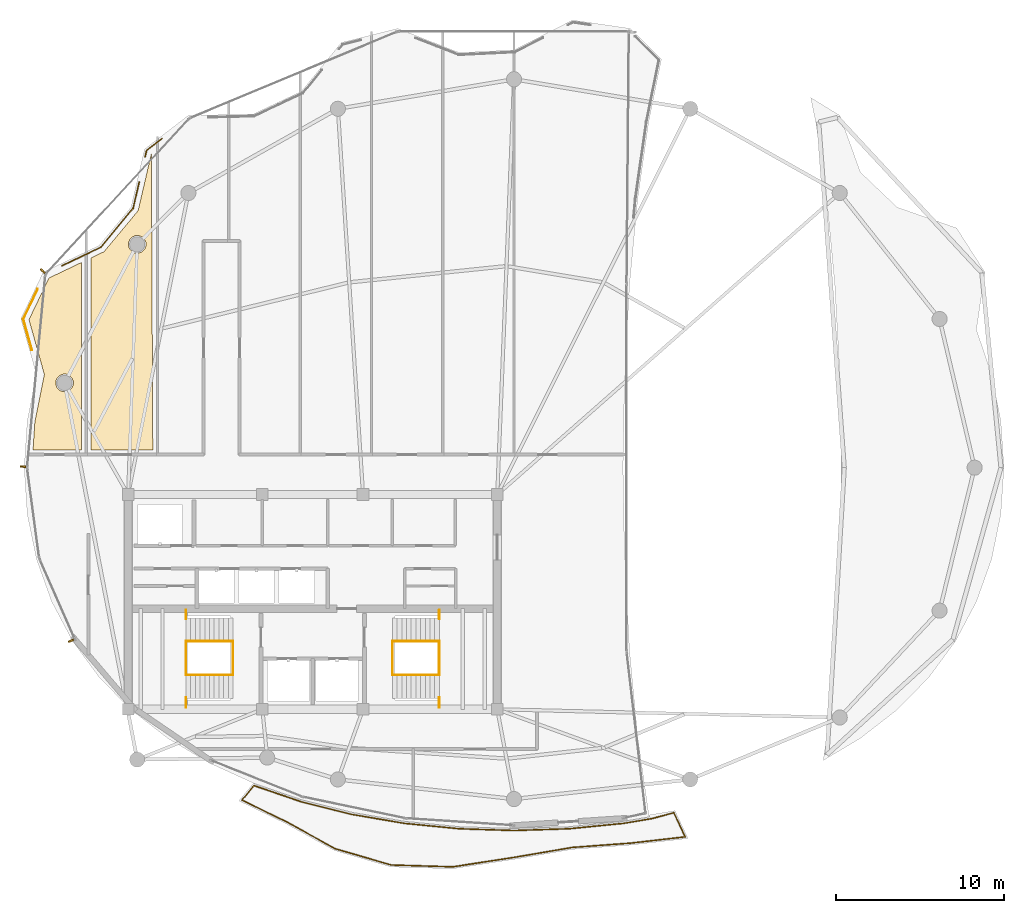
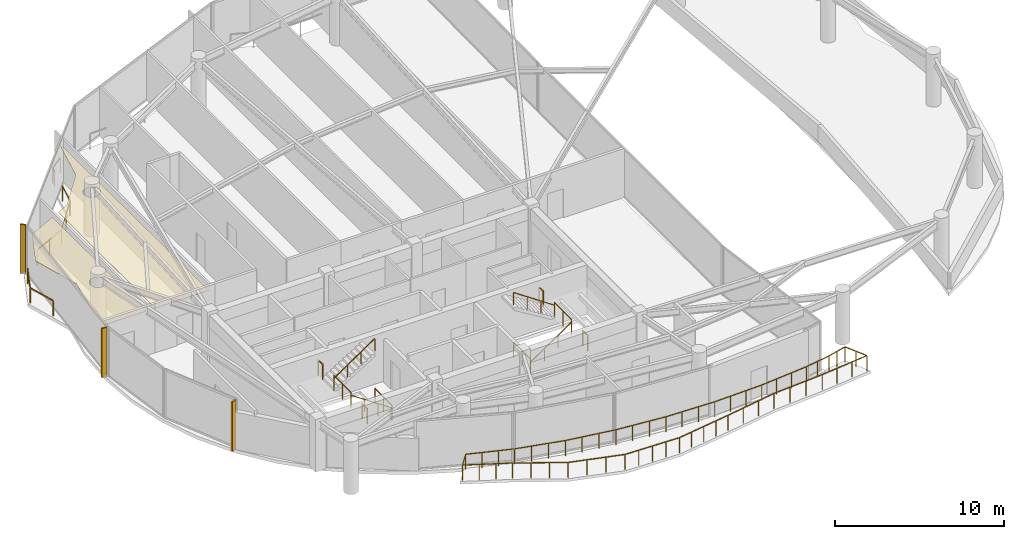
# One storey, part 22 of 23: 16 railings, 3 shading devices, 2 coverings.
"""IFC4 building model written with IfcOpenShell, lengths in metres."""

from ifc_helpers import new_model, si_unit, direction, frame, origin, origin_2d, place, context, subcontext, project, spatial, polyline, rectangle, outline, extrude, material, layer, layer_set, type_object, element, save


model = new_model("IFC4")

# Units and contexts
model_context = context("Model", 3, precision=1e-05, world=origin(), true_north=direction((0.0, 1.0)))
body_context = subcontext(model_context, "Body", "Model", "MODEL_VIEW")
ifc_project = project(units=[si_unit("LENGTHUNIT", "METRE"), si_unit("AREAUNIT", "SQUARE_METRE"), si_unit("VOLUMEUNIT", "CUBIC_METRE"), si_unit("PLANEANGLEUNIT", "RADIAN"), si_unit("MASSUNIT", "GRAM", prefix="KILO")], contexts=[model_context])

# Site, building, storey
site_placement = place(None, origin())
site = spatial("IfcSite", under=ifc_project, at=site_placement, CompositionType="ELEMENT")
building_placement = place(site_placement, origin())
building = spatial("IfcBuilding", under=site, at=building_placement, Name="Kazevale Care Tower and Concert Hall", CompositionType="ELEMENT")
storey_placement = place(building_placement, frame((0.0, 0.0, 270.0)))
storey = spatial("IfcBuildingStorey", under=building, at=storey_placement, Name="L71", CompositionType="ELEMENT", Elevation=270.0)

# Coverings
ifc_material_1 = material(Name="Acoustic Plaster and Hinoki Wood", Category="wood")
ifc_layer = layer(ifc_material_1, 0.0400390625)
ifc_layer_set = layer_set([ifc_layer], Name="Acoustic Plaster and Hinoki Wood")
covering_type = type_object("IfcCoveringType", Name="Acoustic Perforated Wood-Gypsum Ceiling", PredefinedType="CEILING", material=ifc_layer_set)
covering_1_placement = place(storey_placement, frame((0.0, 0.0, 2.909912109375)))
element("IfcCovering", 1, at=covering_1_placement, inside=storey, type_object=covering_type, Name="clg:L71:1", PredefinedType="CEILING", context=body_context, shape_type="SweptSolid", body=[
    extrude(outline(polyline([(17.0048828125, 43.55908203125), (16.087890625, 46.824951171875), (17.279052734375, 49.304931640625), (19.219970703125, 50.23291015625), (19.219970703125, 39.054931640625), (16.330078125, 39.054931640625), (16.44091796875, 40.72802734375), (17.0048828125, 43.55908203125)]), holes=[polyline([(18.72998046875, 43.153076171875), (18.65087890625, 43.343994140625), (18.50390625, 43.490966796875), (18.31298828125, 43.570068359375), (18.10693359375, 43.570068359375), (17.916015625, 43.490966796875), (17.76904296875, 43.343994140625), (17.68994140625, 43.153076171875), (17.68994140625, 42.947021484375), (17.76904296875, 42.756103515625), (17.916015625, 42.60888671875), (18.10693359375, 42.530029296875), (18.31298828125, 42.530029296875), (18.50390625, 42.60888671875), (18.65087890625, 42.756103515625), (18.72998046875, 42.947021484375), (18.72998046875, 43.153076171875)])]), origin(), (0.0, 0.0, 1.0), 0.0400390625),
])
covering_2_placement = place(storey_placement, frame((0.0, 0.0, 2.909912109375)))
element("IfcCovering", 2, at=covering_2_placement, inside=storey, type_object=covering_type, Name="clg:L71:2", PredefinedType="CEILING", context=body_context, shape_type="SweptSolid", body=[
    extrude(outline(polyline([(22.593994140625, 53.31494140625), (23.385009765625, 56.721923828125), (23.469970703125, 39.054931640625), (19.780029296875, 39.054931640625), (19.780029296875, 50.5009765625), (20.56494140625, 50.8759765625), (22.593994140625, 53.31494140625)]), holes=[polyline([(23.06005859375, 51.4130859375), (22.98095703125, 51.60400390625), (22.833984375, 51.7509765625), (22.64306640625, 51.830078125), (22.43701171875, 51.830078125), (22.24609375, 51.7509765625), (22.09912109375, 51.60400390625), (22.02001953125, 51.4130859375), (22.02001953125, 51.20703125), (22.09912109375, 51.01611328125), (22.24609375, 50.868896484375), (22.43701171875, 50.7900390625), (22.64306640625, 50.7900390625), (22.833984375, 50.868896484375), (22.98095703125, 51.01611328125), (23.06005859375, 51.20703125), (23.06005859375, 51.4130859375)])]), origin(), (0.0, 0.0, 1.0), 0.0400390625),
])

# Railings
ifc_material_2 = material(Name="Anodised Bronze Aluminium and Laminated Glass", Category="aluminium")
railing_type_1 = type_object("IfcRailingType", Name="Balcony and Terrace Balustrade 1120", PredefinedType="BALUSTRADE", material=ifc_material_2)
railing_1_placement = place(storey_placement, frame((16.262939453125, 45.01806640625, 0.0)))
element("IfcRailing", 3, at=railing_1_placement, inside=storey, type_object=railing_type_1, Name="rail:L71:perim:1", PredefinedType="BALUSTRADE", context=body_context, shape_type="SweptSolid", body=[
    extrude(rectangle(XDim=0.048095703125, YDim=0.048095703125, at=origin_2d()), frame((0.0, 0.0, 1.09619140625), z_axis=(-0.270375000103, 0.962755087922, 0.0), x_axis=(-0.962755087922, -0.270375000103, 0.0)), (0.0, 0.0, 1.0), 1.907958984375),
    extrude(rectangle(XDim=0.048095703125, YDim=0.048095703125, at=origin_2d()), frame((-0.515869140625, 1.8369140625, 1.09619140625), z_axis=(0.433171337814, 0.901311595452, 0.0), x_axis=(-0.901311595452, 0.433171337814, 0.0)), (0.0, 0.0, 1.0), 1.982666015625),
    extrude(rectangle(XDim=0.0419921875, YDim=0.0419921875, at=origin_2d()), origin(), (0.0, 0.0, 1.0), 1.072021484375),
    extrude(rectangle(XDim=0.0419921875, YDim=0.0419921875, at=origin_2d()), frame((-0.515869140625, 1.8369140625, 0.0)), (0.0, 0.0, 1.0), 1.072021484375),
    extrude(rectangle(XDim=0.0419921875, YDim=0.0419921875, at=origin_2d()), frame((0.343017578125, 3.6240234375, 0.0)), (0.0, 0.0, 1.0), 1.072021484375),
])
railing_2_placement = place(storey_placement, frame((18.06689453125, 50.035888671875, 0.0)))
element("IfcRailing", 4, at=railing_2_placement, inside=storey, type_object=railing_type_1, Name="rail:L71:perim:2", PredefinedType="BALUSTRADE", context=body_context, shape_type="SweptSolid", body=[
    extrude(rectangle(XDim=0.048095703125, YDim=0.048095703125, at=origin_2d()), frame((0.0, 0.0, 1.09619140625), z_axis=(0.902057952575, 0.431614932776, 0.0), x_axis=(-0.431614932776, 0.902057952575, 0.0)), (0.0, 0.0, 1.0), 2.546630859375),
    extrude(rectangle(XDim=0.048095703125, YDim=0.048095703125, at=origin_2d()), frame((2.297119140625, 1.09912109375, 1.09619140625), z_axis=(0.639557177374, 0.76874353127, 0.0), x_axis=(-0.76874353127, 0.639557177374, 0.0)), (0.0, 0.0, 1.0), 3.025634765625),
    extrude(rectangle(XDim=0.048095703125, YDim=0.048095703125, at=origin_2d()), frame((4.232177734375, 3.425048828125, 1.09619140625), z_axis=(0.226062506511, 0.97411279796, 0.0), x_axis=(-0.97411279796, 0.226062506511, 0.0)), (0.0, 0.0, 1.0), 1.6005859375),
    extrude(rectangle(XDim=0.0419921875, YDim=0.0419921875, at=origin_2d()), origin(), (0.0, 0.0, 1.0), 1.072021484375),
    extrude(rectangle(XDim=0.0419921875, YDim=0.0419921875, at=origin_2d()), frame((1.1484375, 0.549560546875, 0.0)), (0.0, 0.0, 1.0), 1.072021484375),
    extrude(rectangle(XDim=0.0419921875, YDim=0.0419921875, at=origin_2d()), frame((2.297119140625, 1.09912109375, 0.0)), (0.0, 0.0, 1.0), 1.072021484375),
    extrude(rectangle(XDim=0.0419921875, YDim=0.0419921875, at=origin_2d()), frame((3.2646484375, 2.26220703125, 0.0)), (0.0, 0.0, 1.0), 1.072021484375),
    extrude(rectangle(XDim=0.0419921875, YDim=0.0419921875, at=origin_2d()), frame((4.232177734375, 3.425048828125, 0.0)), (0.0, 0.0, 1.0), 1.072021484375),
    extrude(rectangle(XDim=0.0419921875, YDim=0.0419921875, at=origin_2d()), frame((4.593994140625, 4.984130859375, 0.0)), (0.0, 0.0, 1.0), 1.072021484375),
])
railing_3_placement = place(storey_placement, frame((23.009033203125, 56.51904296875, 0.0)))
element("IfcRailing", 5, at=railing_3_placement, inside=storey, type_object=railing_type_1, Name="rail:L71:perim:3", PredefinedType="BALUSTRADE", context=body_context, shape_type="SweptSolid", body=[
    extrude(rectangle(XDim=0.048095703125, YDim=0.048095703125, at=origin_2d()), frame((0.0, 0.0, 1.09619140625), z_axis=(0.227288030482, 0.973827577757, 0.0), x_axis=(-0.973827577757, 0.227288030482, 0.0)), (0.0, 0.0, 1.0), 0.396240234375),
    extrude(rectangle(XDim=0.048095703125, YDim=0.048095703125, at=origin_2d()), frame((0.090087890625, 0.385986328125, 1.09619140625), z_axis=(0.791840451441, 0.61072800776, 0.0), x_axis=(-0.61072800776, 0.791840451441, 0.0)), (0.0, 0.0, 1.0), 1.1591796875),
    extrude(rectangle(XDim=0.0419921875, YDim=0.0419921875, at=origin_2d()), origin(), (0.0, 0.0, 1.0), 1.072021484375),
    extrude(rectangle(XDim=0.0419921875, YDim=0.0419921875, at=origin_2d()), frame((0.090087890625, 0.385986328125, 0.0)), (0.0, 0.0, 1.0), 1.072021484375),
    extrude(rectangle(XDim=0.0419921875, YDim=0.0419921875, at=origin_2d()), frame((1.008056640625, 1.093994140625, 0.0)), (0.0, 0.0, 1.0), 1.072021484375),
])
railing_4_placement = place(storey_placement, frame((29.5009765625, 19.052978515625, 0.0)))
element("IfcRailing", 6, at=railing_4_placement, inside=storey, type_object=railing_type_1, Name="rail:L71:balcony", PredefinedType="BALUSTRADE", context=body_context, shape_type="SweptSolid", body=[
    extrude(rectangle(XDim=0.048095703125, YDim=0.048095703125, at=origin_2d()), frame((0.0, 0.0, 1.09619140625), z_axis=(0.94573422454, -0.324941189347, 0.0), x_axis=(0.324941189347, 0.94573422454, 0.0)), (0.0, 0.0, 1.0), 2.954345703125),
    extrude(rectangle(XDim=0.048095703125, YDim=0.048095703125, at=origin_2d()), frame((2.7939453125, -0.9599609375, 1.09619140625), z_axis=(0.970197562423, -0.242315269572, 0.0), x_axis=(0.242315269572, 0.970197562423, 0.0)), (0.0, 0.0, 1.0), 3.12841796875),
    extrude(rectangle(XDim=0.048095703125, YDim=0.048095703125, at=origin_2d()), frame((5.8291015625, -1.718017578125, 1.09619140625), z_axis=(0.985888464626, -0.167403510471, 0.0), x_axis=(0.167403510471, 0.985888464626, 0.0)), (0.0, 0.0, 1.0), 3.201171875),
    extrude(rectangle(XDim=0.048095703125, YDim=0.048095703125, at=origin_2d()), frame((8.985107421875, -2.25390625, 1.09619140625), z_axis=(0.995202326145, -0.097838285119, 0.0), x_axis=(0.097838285119, 0.995202326145, 0.0)), (0.0, 0.0, 1.0), 3.25146484375),
    extrude(rectangle(XDim=0.048095703125, YDim=0.048095703125, at=origin_2d()), frame((12.220947265625, -2.572021484375, 1.09619140625), z_axis=(0.999478023027, -0.032306059581, 0.0), x_axis=(0.032306059581, 0.999478023027, 0.0)), (0.0, 0.0, 1.0), 3.27978515625),
    extrude(rectangle(XDim=0.048095703125, YDim=0.048095703125, at=origin_2d()), frame((15.4990234375, -2.677978515625, 1.09619140625), z_axis=(0.999478023027, 0.032306059581, 0.0), x_axis=(-0.032306059581, 0.999478023027, 0.0)), (0.0, 0.0, 1.0), 3.27978515625),
    extrude(rectangle(XDim=0.048095703125, YDim=0.048095703125, at=origin_2d()), frame((18.777099609375, -2.572021484375, 1.09619140625), z_axis=(0.995202326145, 0.097838285119, 0.0), x_axis=(-0.097838285119, 0.995202326145, 0.0)), (0.0, 0.0, 1.0), 3.25146484375),
    extrude(rectangle(XDim=0.048095703125, YDim=0.048095703125, at=origin_2d()), frame((22.012939453125, -2.25390625, 1.09619140625), z_axis=(0.985939740956, 0.16710124836, 0.0), x_axis=(-0.16710124836, 0.985939740956, 0.0)), (0.0, 0.0, 1.0), 1.728515625),
    extrude(rectangle(XDim=0.048095703125, YDim=0.048095703125, at=origin_2d()), frame((23.717041015625, -1.965087890625, 1.09619140625), z_axis=(0.966966654094, 0.254902902829, 0.0), x_axis=(-0.254902902829, 0.966966654094, 0.0)), (0.0, 0.0, 1.0), 1.349609375),
    extrude(rectangle(XDim=0.048095703125, YDim=0.048095703125, at=origin_2d()), frame((25.02197265625, -1.62109375, 1.09619140625), z_axis=(0.425211025578, -0.905094240246, 0.0), x_axis=(0.905094240246, 0.425211025578, 0.0)), (0.0, 0.0, 1.0), 1.585205078125),
    extrude(rectangle(XDim=0.048095703125, YDim=0.048095703125, at=origin_2d()), frame((25.696044921875, -3.055908203125, 1.09619140625), z_axis=(-0.993500146024, -0.113830838751, 0.0), x_axis=(0.113830838751, -0.993500146024, 0.0)), (0.0, 0.0, 1.0), 3.29443359375),
    extrude(rectangle(XDim=0.048095703125, YDim=0.048095703125, at=origin_2d()), frame((22.423095703125, -3.430908203125, 1.09619140625), z_axis=(-0.997316467604, -0.073211088271, 0.0), x_axis=(0.073211088271, -0.997316467604, 0.0)), (0.0, 0.0, 1.0), 3.471435546875),
    extrude(rectangle(XDim=0.048095703125, YDim=0.048095703125, at=origin_2d()), frame((18.9609375, -3.68505859375, 1.09619140625), z_axis=(-0.985659400135, -0.168746990863, 0.0), x_axis=(0.168746990863, -0.985659400135, 0.0)), (0.0, 0.0, 1.0), 3.531494140625),
    extrude(rectangle(XDim=0.048095703125, YDim=0.048095703125, at=origin_2d()), frame((15.47998046875, -4.281005859375, 1.09619140625), z_axis=(-0.988341038965, -0.152256332208, 0.0), x_axis=(0.152256332208, -0.988341038965, 0.0)), (0.0, 0.0, 1.0), 3.684814453125),
    extrude(rectangle(XDim=0.048095703125, YDim=0.048095703125, at=origin_2d()), frame((11.838134765625, -4.842041015625, 1.09619140625), z_axis=(-0.999555090667, 0.029826510382, 0.0), x_axis=(-0.029826510382, -0.999555090667, 0.0)), (0.0, 0.0, 1.0), 3.658935546875),
    extrude(rectangle(XDim=0.048095703125, YDim=0.048095703125, at=origin_2d()), frame((8.180908203125, -4.73291015625, 1.09619140625), z_axis=(-0.960199735493, 0.279314281695, 0.0), x_axis=(-0.279314281695, -0.960199735493, 0.0)), (0.0, 0.0, 1.0), 3.486572265625),
    extrude(rectangle(XDim=0.048095703125, YDim=0.048095703125, at=origin_2d()), frame((4.8330078125, -3.759033203125, 1.09619140625), z_axis=(-0.874893771377, 0.484314865357, 0.0), x_axis=(-0.484314865357, -0.874893771377, 0.0)), (0.0, 0.0, 1.0), 3.279052734375),
    extrude(rectangle(XDim=0.048095703125, YDim=0.048095703125, at=origin_2d()), frame((1.964111328125, -2.1708984375, 1.09619140625), z_axis=(-0.899415258031, 0.437095176845, 0.0), x_axis=(-0.437095176845, -0.899415258031, 0.0)), (0.0, 0.0, 1.0), 2.98095703125),
    extrude(rectangle(XDim=0.048095703125, YDim=0.048095703125, at=origin_2d()), frame((-0.717041015625, -0.867919921875, 1.09619140625), z_axis=(0.636915071729, 0.770933973441, 0.0), x_axis=(-0.770933973441, 0.636915071729, 0.0)), (0.0, 0.0, 1.0), 1.125732421875),
    extrude(rectangle(XDim=0.0419921875, YDim=0.0419921875, at=origin_2d()), origin(), (0.0, 0.0, 1.0), 1.072021484375),
    extrude(rectangle(XDim=0.0419921875, YDim=0.0419921875, at=origin_2d()), frame((0.931396484375, -0.320068359375, 0.0)), (0.0, 0.0, 1.0), 1.072021484375),
    extrude(rectangle(XDim=0.0419921875, YDim=0.0419921875, at=origin_2d()), frame((1.862548828125, -0.639892578125, 0.0)), (0.0, 0.0, 1.0), 1.072021484375),
    extrude(rectangle(XDim=0.0419921875, YDim=0.0419921875, at=origin_2d()), frame((2.7939453125, -0.9599609375, 0.0)), (0.0, 0.0, 1.0), 1.072021484375),
    extrude(rectangle(XDim=0.0419921875, YDim=0.0419921875, at=origin_2d()), frame((3.8056640625, -1.212646484375, 0.0)), (0.0, 0.0, 1.0), 1.072021484375),
    extrude(rectangle(XDim=0.0419921875, YDim=0.0419921875, at=origin_2d()), frame((4.8173828125, -1.46533203125, 0.0)), (0.0, 0.0, 1.0), 1.072021484375),
    extrude(rectangle(XDim=0.0419921875, YDim=0.0419921875, at=origin_2d()), frame((5.8291015625, -1.718017578125, 0.0)), (0.0, 0.0, 1.0), 1.072021484375),
    extrude(rectangle(XDim=0.0419921875, YDim=0.0419921875, at=origin_2d()), frame((6.881103515625, -1.896728515625, 0.0)), (0.0, 0.0, 1.0), 1.072021484375),
    extrude(rectangle(XDim=0.0419921875, YDim=0.0419921875, at=origin_2d()), frame((7.93310546875, -2.0751953125, 0.0)), (0.0, 0.0, 1.0), 1.072021484375),
    extrude(rectangle(XDim=0.0419921875, YDim=0.0419921875, at=origin_2d()), frame((8.985107421875, -2.25390625, 0.0)), (0.0, 0.0, 1.0), 1.072021484375),
    extrude(rectangle(XDim=0.0419921875, YDim=0.0419921875, at=origin_2d()), frame((10.063720703125, -2.35986328125, 0.0)), (0.0, 0.0, 1.0), 1.072021484375),
    extrude(rectangle(XDim=0.0419921875, YDim=0.0419921875, at=origin_2d()), frame((11.142333984375, -2.466064453125, 0.0)), (0.0, 0.0, 1.0), 1.072021484375),
    extrude(rectangle(XDim=0.0419921875, YDim=0.0419921875, at=origin_2d()), frame((12.220947265625, -2.572021484375, 0.0)), (0.0, 0.0, 1.0), 1.072021484375),
    extrude(rectangle(XDim=0.0419921875, YDim=0.0419921875, at=origin_2d()), frame((13.313720703125, -2.607421875, 0.0)), (0.0, 0.0, 1.0), 1.072021484375),
    extrude(rectangle(XDim=0.0419921875, YDim=0.0419921875, at=origin_2d()), frame((14.40625, -2.642578125, 0.0)), (0.0, 0.0, 1.0), 1.072021484375),
    extrude(rectangle(XDim=0.0419921875, YDim=0.0419921875, at=origin_2d()), frame((15.4990234375, -2.677978515625, 0.0)), (0.0, 0.0, 1.0), 1.072021484375),
    extrude(rectangle(XDim=0.0419921875, YDim=0.0419921875, at=origin_2d()), frame((16.591796875, -2.642578125, 0.0)), (0.0, 0.0, 1.0), 1.072021484375),
    extrude(rectangle(XDim=0.0419921875, YDim=0.0419921875, at=origin_2d()), frame((17.684326171875, -2.607421875, 0.0)), (0.0, 0.0, 1.0), 1.072021484375),
    extrude(rectangle(XDim=0.0419921875, YDim=0.0419921875, at=origin_2d()), frame((18.777099609375, -2.572021484375, 0.0)), (0.0, 0.0, 1.0), 1.072021484375),
    extrude(rectangle(XDim=0.0419921875, YDim=0.0419921875, at=origin_2d()), frame((19.855712890625, -2.466064453125, 0.0)), (0.0, 0.0, 1.0), 1.072021484375),
    extrude(rectangle(XDim=0.0419921875, YDim=0.0419921875, at=origin_2d()), frame((20.934326171875, -2.35986328125, 0.0)), (0.0, 0.0, 1.0), 1.072021484375),
    extrude(rectangle(XDim=0.0419921875, YDim=0.0419921875, at=origin_2d()), frame((22.012939453125, -2.25390625, 0.0)), (0.0, 0.0, 1.0), 1.072021484375),
    extrude(rectangle(XDim=0.0419921875, YDim=0.0419921875, at=origin_2d()), frame((22.864990234375, -2.109375, 0.0)), (0.0, 0.0, 1.0), 1.072021484375),
    extrude(rectangle(XDim=0.0419921875, YDim=0.0419921875, at=origin_2d()), frame((23.717041015625, -1.965087890625, 0.0)), (0.0, 0.0, 1.0), 1.072021484375),
    extrude(rectangle(XDim=0.0419921875, YDim=0.0419921875, at=origin_2d()), frame((24.36962890625, -1.79296875, 0.0)), (0.0, 0.0, 1.0), 1.072021484375),
    extrude(rectangle(XDim=0.0419921875, YDim=0.0419921875, at=origin_2d()), frame((25.02197265625, -1.62109375, 0.0)), (0.0, 0.0, 1.0), 1.072021484375),
    extrude(rectangle(XDim=0.0419921875, YDim=0.0419921875, at=origin_2d()), frame((25.35888671875, -2.33837890625, 0.0)), (0.0, 0.0, 1.0), 1.072021484375),
    extrude(rectangle(XDim=0.0419921875, YDim=0.0419921875, at=origin_2d()), frame((25.696044921875, -3.055908203125, 0.0)), (0.0, 0.0, 1.0), 1.072021484375),
    extrude(rectangle(XDim=0.0419921875, YDim=0.0419921875, at=origin_2d()), frame((24.60498046875, -3.180908203125, 0.0)), (0.0, 0.0, 1.0), 1.072021484375),
    extrude(rectangle(XDim=0.0419921875, YDim=0.0419921875, at=origin_2d()), frame((23.51416015625, -3.305908203125, 0.0)), (0.0, 0.0, 1.0), 1.072021484375),
    extrude(rectangle(XDim=0.0419921875, YDim=0.0419921875, at=origin_2d()), frame((22.423095703125, -3.430908203125, 0.0)), (0.0, 0.0, 1.0), 1.072021484375),
    extrude(rectangle(XDim=0.0419921875, YDim=0.0419921875, at=origin_2d()), frame((21.26904296875, -3.515625, 0.0)), (0.0, 0.0, 1.0), 1.072021484375),
    extrude(rectangle(XDim=0.0419921875, YDim=0.0419921875, at=origin_2d()), frame((20.114990234375, -3.600341796875, 0.0)), (0.0, 0.0, 1.0), 1.072021484375),
    extrude(rectangle(XDim=0.0419921875, YDim=0.0419921875, at=origin_2d()), frame((18.9609375, -3.68505859375, 0.0)), (0.0, 0.0, 1.0), 1.072021484375),
    extrude(rectangle(XDim=0.0419921875, YDim=0.0419921875, at=origin_2d()), frame((17.800537109375, -3.8837890625, 0.0)), (0.0, 0.0, 1.0), 1.072021484375),
    extrude(rectangle(XDim=0.0419921875, YDim=0.0419921875, at=origin_2d()), frame((16.640380859375, -4.082275390625, 0.0)), (0.0, 0.0, 1.0), 1.072021484375),
    extrude(rectangle(XDim=0.0419921875, YDim=0.0419921875, at=origin_2d()), frame((15.47998046875, -4.281005859375, 0.0)), (0.0, 0.0, 1.0), 1.072021484375),
    extrude(rectangle(XDim=0.0419921875, YDim=0.0419921875, at=origin_2d()), frame((14.569580078125, -4.42138671875, 0.0)), (0.0, 0.0, 1.0), 1.072021484375),
    extrude(rectangle(XDim=0.0419921875, YDim=0.0419921875, at=origin_2d()), frame((13.6591796875, -4.5615234375, 0.0)), (0.0, 0.0, 1.0), 1.072021484375),
    extrude(rectangle(XDim=0.0419921875, YDim=0.0419921875, at=origin_2d()), frame((12.74853515625, -4.70166015625, 0.0)), (0.0, 0.0, 1.0), 1.072021484375),
    extrude(rectangle(XDim=0.0419921875, YDim=0.0419921875, at=origin_2d()), frame((11.838134765625, -4.842041015625, 0.0)), (0.0, 0.0, 1.0), 1.072021484375),
    extrude(rectangle(XDim=0.0419921875, YDim=0.0419921875, at=origin_2d()), frame((10.923828125, -4.814697265625, 0.0)), (0.0, 0.0, 1.0), 1.072021484375),
    extrude(rectangle(XDim=0.0419921875, YDim=0.0419921875, at=origin_2d()), frame((10.009521484375, -4.78759765625, 0.0)), (0.0, 0.0, 1.0), 1.072021484375),
    extrude(rectangle(XDim=0.0419921875, YDim=0.0419921875, at=origin_2d()), frame((9.09521484375, -4.76025390625, 0.0)), (0.0, 0.0, 1.0), 1.072021484375),
    extrude(rectangle(XDim=0.0419921875, YDim=0.0419921875, at=origin_2d()), frame((8.180908203125, -4.73291015625, 0.0)), (0.0, 0.0, 1.0), 1.072021484375),
    extrude(rectangle(XDim=0.0419921875, YDim=0.0419921875, at=origin_2d()), frame((7.06494140625, -4.408203125, 0.0)), (0.0, 0.0, 1.0), 1.072021484375),
    extrude(rectangle(XDim=0.0419921875, YDim=0.0419921875, at=origin_2d()), frame((5.948974609375, -4.083740234375, 0.0)), (0.0, 0.0, 1.0), 1.072021484375),
    extrude(rectangle(XDim=0.0419921875, YDim=0.0419921875, at=origin_2d()), frame((4.8330078125, -3.759033203125, 0.0)), (0.0, 0.0, 1.0), 1.072021484375),
    extrude(rectangle(XDim=0.0419921875, YDim=0.0419921875, at=origin_2d()), frame((3.876708984375, -3.229736328125, 0.0)), (0.0, 0.0, 1.0), 1.072021484375),
    extrude(rectangle(XDim=0.0419921875, YDim=0.0419921875, at=origin_2d()), frame((2.92041015625, -2.7001953125, 0.0)), (0.0, 0.0, 1.0), 1.072021484375),
    extrude(rectangle(XDim=0.0419921875, YDim=0.0419921875, at=origin_2d()), frame((1.964111328125, -2.1708984375, 0.0)), (0.0, 0.0, 1.0), 1.072021484375),
    extrude(rectangle(XDim=0.0419921875, YDim=0.0419921875, at=origin_2d()), frame((1.0703125, -1.736572265625, 0.0)), (0.0, 0.0, 1.0), 1.072021484375),
    extrude(rectangle(XDim=0.0419921875, YDim=0.0419921875, at=origin_2d()), frame((0.1767578125, -1.30224609375, 0.0)), (0.0, 0.0, 1.0), 1.072021484375),
    extrude(rectangle(XDim=0.0419921875, YDim=0.0419921875, at=origin_2d()), frame((-0.717041015625, -0.867919921875, 0.0)), (0.0, 0.0, 1.0), 1.072021484375),
])
ifc_material_3 = material(Name="Stainless Steel 316", Category="steel")
railing_type_2 = type_object("IfcRailingType", Name="Stair Pitch Handrail 920", PredefinedType="HANDRAIL", material=ifc_material_3)
railing_5_placement = place(storey_placement, frame((28.25, 25.639892578125, 0.0)))
element("IfcRailing", 7, at=railing_5_placement, inside=storey, type_object=railing_type_2, Name="stair:L71:ST1:hr1", PredefinedType="HANDRAIL", context=body_context, shape_type="SweptSolid", body=[
    extrude(rectangle(XDim=0.048095703125, YDim=0.048095703125, at=origin_2d()), frame((0.0, 0.0, 0.89599609375), z_axis=(-0.827493732819, 0.0, 0.561474952376), x_axis=(0.0, -1.0, 0.0)), (0.0, 0.0, 1.0), 3.3837890625),
    extrude(rectangle(XDim=0.0419921875, YDim=0.0419921875, at=origin_2d()), origin(), (0.0, 0.0, 1.0), 0.871826171875),
    extrude(rectangle(XDim=0.0419921875, YDim=0.0419921875, at=origin_2d()), frame((-0.933349609375, 0.0, 0.63330078125)), (0.0, 0.0, 1.0), 0.871826171875),
    extrude(rectangle(XDim=0.0419921875, YDim=0.0419921875, at=origin_2d()), frame((-1.86669921875, 0.0, 1.2666015625)), (0.0, 0.0, 1.0), 0.871826171875),
    extrude(rectangle(XDim=0.0419921875, YDim=0.0419921875, at=origin_2d()), frame((-2.800048828125, 0.0, 1.89990234375)), (0.0, 0.0, 1.0), 0.871826171875),
])
railing_6_placement = place(storey_placement, frame((25.449951171875, 27.659912109375, 1.89990234375)))
element("IfcRailing", 8, at=railing_6_placement, inside=storey, type_object=railing_type_2, Name="stair:L71:ST1:hr2", PredefinedType="HANDRAIL", context=body_context, shape_type="SweptSolid", body=[
    extrude(rectangle(XDim=0.048095703125, YDim=0.048095703125, at=origin_2d()), frame((0.0, 0.0, 0.89599609375), z_axis=(0.827460210367, 0.0, 0.56152435411), x_axis=(0.0, 1.0, 0.0)), (0.0, 0.0, 1.0), 3.3837890625),
    extrude(rectangle(XDim=0.0419921875, YDim=0.0419921875, at=origin_2d()), origin(), (0.0, 0.0, 1.0), 0.871826171875),
    extrude(rectangle(XDim=0.0419921875, YDim=0.0419921875, at=origin_2d()), frame((0.933349609375, 0.0, 0.63330078125)), (0.0, 0.0, 1.0), 0.871826171875),
    extrude(rectangle(XDim=0.0419921875, YDim=0.0419921875, at=origin_2d()), frame((1.86669921875, 0.0, 1.266845703125)), (0.0, 0.0, 1.0), 0.871826171875),
    extrude(rectangle(XDim=0.0419921875, YDim=0.0419921875, at=origin_2d()), frame((2.800048828125, 0.0, 1.900146484375)), (0.0, 0.0, 1.0), 0.871826171875),
])
railing_7_placement = place(storey_placement, frame((37.75, 25.639892578125, 0.0)))
element("IfcRailing", 9, at=railing_7_placement, inside=storey, type_object=railing_type_2, Name="stair:L71:ST2:hr1", PredefinedType="HANDRAIL", context=body_context, shape_type="SweptSolid", body=[
    extrude(rectangle(XDim=0.048095703125, YDim=0.048095703125, at=origin_2d()), frame((0.0, 0.0, 0.89599609375), z_axis=(0.827493732819, 0.0, 0.561474952376), x_axis=(0.0, 1.0, 0.0)), (0.0, 0.0, 1.0), 3.3837890625),
    extrude(rectangle(XDim=0.0419921875, YDim=0.0419921875, at=origin_2d()), origin(), (0.0, 0.0, 1.0), 0.871826171875),
    extrude(rectangle(XDim=0.0419921875, YDim=0.0419921875, at=origin_2d()), frame((0.933349609375, 0.0, 0.63330078125)), (0.0, 0.0, 1.0), 0.871826171875),
    extrude(rectangle(XDim=0.0419921875, YDim=0.0419921875, at=origin_2d()), frame((1.86669921875, 0.0, 1.2666015625)), (0.0, 0.0, 1.0), 0.871826171875),
    extrude(rectangle(XDim=0.0419921875, YDim=0.0419921875, at=origin_2d()), frame((2.800048828125, 0.0, 1.89990234375)), (0.0, 0.0, 1.0), 0.871826171875),
])
railing_8_placement = place(storey_placement, frame((40.550048828125, 27.659912109375, 1.89990234375)))
element("IfcRailing", 10, at=railing_8_placement, inside=storey, type_object=railing_type_2, Name="stair:L71:ST2:hr2", PredefinedType="HANDRAIL", context=body_context, shape_type="SweptSolid", body=[
    extrude(rectangle(XDim=0.048095703125, YDim=0.048095703125, at=origin_2d()), frame((0.0, 0.0, 0.89599609375), z_axis=(-0.827460210367, 0.0, 0.56152435411), x_axis=(0.0, -1.0, 0.0)), (0.0, 0.0, 1.0), 3.3837890625),
    extrude(rectangle(XDim=0.0419921875, YDim=0.0419921875, at=origin_2d()), origin(), (0.0, 0.0, 1.0), 0.871826171875),
    extrude(rectangle(XDim=0.0419921875, YDim=0.0419921875, at=origin_2d()), frame((-0.933349609375, 0.0, 0.63330078125)), (0.0, 0.0, 1.0), 0.871826171875),
    extrude(rectangle(XDim=0.0419921875, YDim=0.0419921875, at=origin_2d()), frame((-1.86669921875, 0.0, 1.266845703125)), (0.0, 0.0, 1.0), 0.871826171875),
    extrude(rectangle(XDim=0.0419921875, YDim=0.0419921875, at=origin_2d()), frame((-2.800048828125, 0.0, 1.900146484375)), (0.0, 0.0, 1.0), 0.871826171875),
])
railing_type_3 = type_object("IfcRailingType", Name="Stair Well Guard Balustrade 1120", PredefinedType="BALUSTRADE", material=ifc_material_3)
railing_9_placement = place(storey_placement, frame((25.449951171875, 23.699951171875, 1.89990234375)))
element("IfcRailing", 11, at=railing_9_placement, inside=storey, type_object=railing_type_3, Name="stair:L71:ST1:grd_side1", PredefinedType="BALUSTRADE", context=body_context, shape_type="SweptSolid", body=[
    extrude(rectangle(XDim=0.048095703125, YDim=0.048095703125, at=origin_2d()), frame((0.0, 0.0, 1.09619140625), z_axis=(0.0, 1.0, 0.0), x_axis=(-1.0, 0.0, 0.0)), (0.0, 0.0, 1.0), 0.610107421875),
    extrude(rectangle(XDim=0.0419921875, YDim=0.0419921875, at=origin_2d()), origin(), (0.0, 0.0, 1.0), 1.072021484375),
    extrude(rectangle(XDim=0.0419921875, YDim=0.0419921875, at=origin_2d()), frame((0.0, 0.610107421875, 0.0)), (0.0, 0.0, 1.0), 1.072021484375),
])
railing_10_placement = place(storey_placement, frame((25.449951171875, 28.989990234375, 1.89990234375)))
element("IfcRailing", 12, at=railing_10_placement, inside=storey, type_object=railing_type_3, Name="stair:L71:ST1:grd_side2", PredefinedType="BALUSTRADE", context=body_context, shape_type="SweptSolid", body=[
    extrude(rectangle(XDim=0.048095703125, YDim=0.048095703125, at=origin_2d()), frame((0.0, 0.0, 1.09619140625), z_axis=(0.0, 1.0, 0.0), x_axis=(-1.0, 0.0, 0.0)), (0.0, 0.0, 1.0), 0.510009765625),
    extrude(rectangle(XDim=0.0419921875, YDim=0.0419921875, at=origin_2d()), origin(), (0.0, 0.0, 1.0), 1.072021484375),
    extrude(rectangle(XDim=0.0419921875, YDim=0.0419921875, at=origin_2d()), frame((0.0, 0.510009765625, 0.0)), (0.0, 0.0, 1.0), 1.072021484375),
])
for number, where, name in (
    (13, (25.449951171875, 25.639892578125, 1.89990234375), "stair:L71:ST1:grd_mid"),
    (14, (28.25, 25.639892578125, 0.0), "stair:L71:ST1:grd_flr"),
):
    element("IfcRailing", number, at=place(storey_placement, frame(where)), inside=storey, type_object=railing_type_3, Name=name, PredefinedType="BALUSTRADE", context=body_context, shape_type="SweptSolid", body=[
        extrude(rectangle(XDim=0.048095703125, YDim=0.048095703125, at=origin_2d()), frame((0.0, 0.0, 1.09619140625), z_axis=(0.0, 1.0, 0.0), x_axis=(-1.0, 0.0, 0.0)), (0.0, 0.0, 1.0), 2.02001953125),
        extrude(rectangle(XDim=0.0419921875, YDim=0.0419921875, at=origin_2d()), origin(), (0.0, 0.0, 1.0), 1.072021484375),
        extrude(rectangle(XDim=0.0419921875, YDim=0.0419921875, at=origin_2d()), frame((0.0, 1.010009765625, 0.0)), (0.0, 0.0, 1.0), 1.072021484375),
        extrude(rectangle(XDim=0.0419921875, YDim=0.0419921875, at=origin_2d()), frame((0.0, 2.02001953125, 0.0)), (0.0, 0.0, 1.0), 1.072021484375),
    ])
railing_11_placement = place(storey_placement, frame((40.550048828125, 23.699951171875, 1.89990234375)))
element("IfcRailing", 15, at=railing_11_placement, inside=storey, type_object=railing_type_3, Name="stair:L71:ST2:grd_side1", PredefinedType="BALUSTRADE", context=body_context, shape_type="SweptSolid", body=[
    extrude(rectangle(XDim=0.048095703125, YDim=0.048095703125, at=origin_2d()), frame((0.0, 0.0, 1.09619140625), z_axis=(0.0, 1.0, 0.0), x_axis=(-1.0, 0.0, 0.0)), (0.0, 0.0, 1.0), 0.610107421875),
    extrude(rectangle(XDim=0.0419921875, YDim=0.0419921875, at=origin_2d()), origin(), (0.0, 0.0, 1.0), 1.072021484375),
    extrude(rectangle(XDim=0.0419921875, YDim=0.0419921875, at=origin_2d()), frame((0.0, 0.610107421875, 0.0)), (0.0, 0.0, 1.0), 1.072021484375),
])
railing_12_placement = place(storey_placement, frame((40.550048828125, 28.989990234375, 1.89990234375)))
element("IfcRailing", 16, at=railing_12_placement, inside=storey, type_object=railing_type_3, Name="stair:L71:ST2:grd_side2", PredefinedType="BALUSTRADE", context=body_context, shape_type="SweptSolid", body=[
    extrude(rectangle(XDim=0.048095703125, YDim=0.048095703125, at=origin_2d()), frame((0.0, 0.0, 1.09619140625), z_axis=(0.0, 1.0, 0.0), x_axis=(-1.0, 0.0, 0.0)), (0.0, 0.0, 1.0), 0.510009765625),
    extrude(rectangle(XDim=0.0419921875, YDim=0.0419921875, at=origin_2d()), origin(), (0.0, 0.0, 1.0), 1.072021484375),
    extrude(rectangle(XDim=0.0419921875, YDim=0.0419921875, at=origin_2d()), frame((0.0, 0.510009765625, 0.0)), (0.0, 0.0, 1.0), 1.072021484375),
])
for number, where, name in (
    (17, (40.550048828125, 25.639892578125, 1.89990234375), "stair:L71:ST2:grd_mid"),
    (18, (37.75, 25.639892578125, 0.0), "stair:L71:ST2:grd_flr"),
):
    element("IfcRailing", number, at=place(storey_placement, frame(where)), inside=storey, type_object=railing_type_3, Name=name, PredefinedType="BALUSTRADE", context=body_context, shape_type="SweptSolid", body=[
        extrude(rectangle(XDim=0.048095703125, YDim=0.048095703125, at=origin_2d()), frame((0.0, 0.0, 1.09619140625), z_axis=(0.0, 1.0, 0.0), x_axis=(-1.0, 0.0, 0.0)), (0.0, 0.0, 1.0), 2.02001953125),
        extrude(rectangle(XDim=0.0419921875, YDim=0.0419921875, at=origin_2d()), origin(), (0.0, 0.0, 1.0), 1.072021484375),
        extrude(rectangle(XDim=0.0419921875, YDim=0.0419921875, at=origin_2d()), frame((0.0, 1.010009765625, 0.0)), (0.0, 0.0, 1.0), 1.072021484375),
        extrude(rectangle(XDim=0.0419921875, YDim=0.0419921875, at=origin_2d()), frame((0.0, 2.02001953125, 0.0)), (0.0, 0.0, 1.0), 1.072021484375),
    ])

# Shading devices
ifc_material_4 = material(Name="Anodised Bronze Aluminium", Category="aluminium")
shading_device_type = type_object("IfcShadingDeviceType", Name="Waist Anodised Bronze-Stone Fin FIN-02", PredefinedType="USERDEFINED", material=ifc_material_4)
for number, where, z_axis, x_axis, name in (
    (19, (18.594482421875, 27.684326171875, 0.0), (0.0, 0.0, 1.0), (-0.91495966785, -0.403545296352, 0.0), "cw:L71:f07:fin"),
    (20, (15.72900390625, 38.06396484375, 0.0), (0.0, 0.0, 1.0), (-0.995545524441, 0.094282070226, 0.0), "cw:L71:f09:fin"),
    (21, (16.908935546875, 49.718017578125, 0.0), (0.0, 0.0, 1.0), (-0.735269577966, 0.677774776543, 0.0), "cw:L71:f10:fin"),
):
    element("IfcShadingDevice", number, at=place(storey_placement, frame(where, z_axis=z_axis, x_axis=x_axis)), inside=storey, type_object=shading_device_type, Name=name, ObjectType="FIN", PredefinedType="USERDEFINED", context=body_context, shape_type="SweptSolid", body=[
        extrude(rectangle(XDim=0.340087890625, YDim=0.10009765625, at=origin_2d()), origin(), (0.0, 0.0, 1.0), 3.56005859375),
    ])

save(model, "model.ifc")
